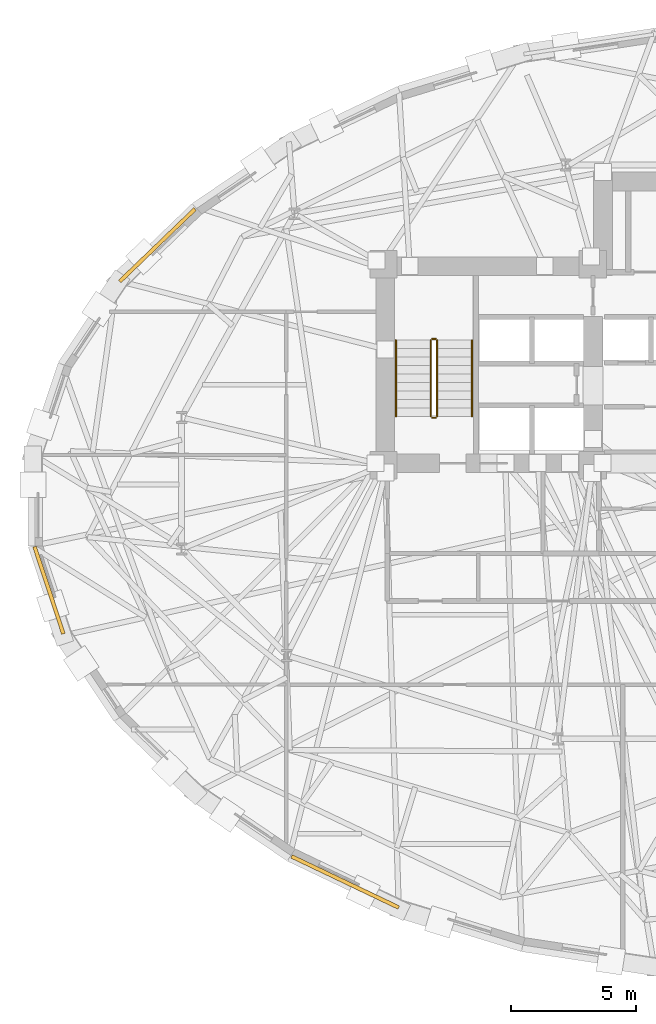
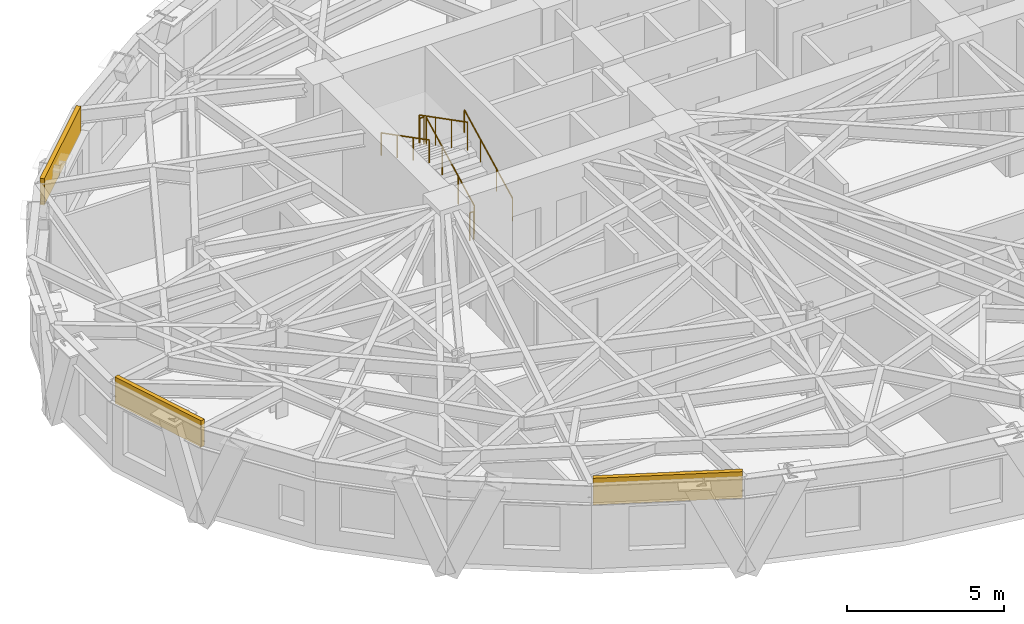
# One storey, part 11 of 14: 6 railings, 3 coverings.
"""IFC4 building model written with IfcOpenShell, lengths in metres."""

from ifc_helpers import new_model, si_unit, direction, frame, origin, origin_2d, place, context, subcontext, project, spatial, rectangle, circle, extrude, material, layer, layer_set, type_object, element, save


model = new_model("IFC4")

# Units and contexts
model_context = context("Model", 3, precision=1e-05, world=origin(), true_north=direction((0.0, 1.0)))
body_context = subcontext(model_context, "Body", "Model", "MODEL_VIEW")
ifc_project = project(units=[si_unit("LENGTHUNIT", "METRE"), si_unit("AREAUNIT", "SQUARE_METRE"), si_unit("VOLUMEUNIT", "CUBIC_METRE"), si_unit("PLANEANGLEUNIT", "RADIAN"), si_unit("MASSUNIT", "GRAM", prefix="KILO")], contexts=[model_context])

# Site, building, storey
site_placement = place(None, origin())
site = spatial("IfcSite", under=ifc_project, at=site_placement, CompositionType="ELEMENT")
building_placement = place(site_placement, origin())
building = spatial("IfcBuilding", under=site, at=building_placement, Name="Keldmark Tower", CompositionType="ELEMENT")
storey_placement = place(building_placement, frame((0.0, 0.0, 103.60009765625)))
storey = spatial("IfcBuildingStorey", under=building, at=storey_placement, Name="L27", CompositionType="ELEMENT", Elevation=103.60009765625)

# Coverings
ifc_material_1 = material(Name="Honed Kasota Buff Dolomitic Limestone", Category="masonry")
ifc_layer = layer(ifc_material_1, 0.074951171875)
ifc_layer_set = layer_set([ifc_layer], Name="Honed Kasota Buff Dolomitic Limestone")
covering_type = type_object("IfcCoveringType", Name="Kasota Buff Limestone Spandrel Cladding Band", PredefinedType="CLADDING", material=ifc_layer_set)
covering_1_placement = place(storey_placement, frame((-22.6650390625, 10.21630859375, 2.45166015625), z_axis=(0.0, 0.0, 1.0), x_axis=(-0.720587417127, -0.693364099357, 0.0)))
element("IfcCovering", 1, at=covering_1_placement, inside=storey, type_object=covering_type, Name="L27 Kasota Limestone Spandrel Band 13", PredefinedType="CLADDING", context=body_context, shape_type="SweptSolid", body=[
    extrude(rectangle(XDim=4.186767578125, YDim=0.14990234375, at=origin_2d()), origin(), (0.0, 0.0, 1.0), 1.028076171875),
])
covering_2_placement = place(storey_placement, frame((-27.0146484375, -3.617919921875, 2.45166015625), z_axis=(0.0, 0.0, 1.0), x_axis=(0.314290711278, -0.949326787152, 0.0)))
element("IfcCovering", 2, at=covering_2_placement, inside=storey, type_object=covering_type, Name="L27 Kasota Limestone Spandrel Band 17", PredefinedType="CLADDING", context=body_context, shape_type="SweptSolid", body=[
    extrude(rectangle(XDim=3.67578125, YDim=0.14990234375, at=origin_2d()), origin(), (0.0, 0.0, 1.0), 1.028076171875),
])
covering_3_placement = place(storey_placement, frame((-15.139892578125, -15.31689453125, 2.45166015625), z_axis=(0.0, 0.0, 1.0), x_axis=(0.902367267498, -0.430967881109, 0.0)))
element("IfcCovering", 3, at=covering_3_placement, inside=storey, type_object=covering_type, Name="L27 Kasota Limestone Spandrel Band 21", PredefinedType="CLADDING", context=body_context, shape_type="SweptSolid", body=[
    extrude(rectangle(XDim=4.76171875, YDim=0.14990234375, at=origin_2d()), origin(), (0.0, 0.0, 1.0), 1.028076171875),
])

# Railings
ifc_material_2 = material(Name="Painted Steel ASTM A500 Grade B", Category="steel")
railing_type_1 = type_object("IfcRailingType", Name="Painted Steel Stair Well Guard 1100 mm", PredefinedType="GUARDRAIL", material=ifc_material_2)
railing_1_placement = place(storey_placement, frame((-11.449951171875, 3.35009765625, 0.1748046875)))
element("IfcRailing", 4, at=railing_1_placement, inside=storey, type_object=railing_type_1, Name="L27 ST1 stair guard 1", PredefinedType="GUARDRAIL", context=body_context, shape_type="SweptSolid", body=[
    extrude(circle(Radius=0.02392578125, at=origin_2d()), frame((0.0, 0.0, 1.076171875), z_axis=(0.0, 0.889101422983, 0.457710235465), x_axis=(-1.0, 0.0, 0.0)), (0.0, 0.0, 1.0), 3.44140625),
    extrude(circle(Radius=0.02099609375, at=origin_2d()), origin(), (0.0, 0.0, 1.0), 1.052001953125),
    extrude(circle(Radius=0.02099609375, at=origin_2d()), frame((0.0, 1.02001953125, 0.525146484375)), (0.0, 0.0, 1.0), 1.052001953125),
    extrude(circle(Radius=0.02099609375, at=origin_2d()), frame((0.0, 2.039794921875, 1.050048828125)), (0.0, 0.0, 1.0), 1.052001953125),
    extrude(circle(Radius=0.02099609375, at=origin_2d()), frame((0.0, 3.059814453125, 1.5751953125)), (0.0, 0.0, 1.0), 1.052001953125),
])
railing_2_placement = place(storey_placement, frame((-11.5, 6.4599609375, 1.75)))
element("IfcRailing", 5, at=railing_2_placement, inside=storey, type_object=railing_type_1, Name="L27 ST1 stair guard 2", PredefinedType="GUARDRAIL", context=body_context, shape_type="SweptSolid", body=[
    extrude(circle(Radius=0.02392578125, at=origin_2d()), frame((0.0, 0.0, 1.076171875), z_axis=(-1.0, 0.0, 0.0), x_axis=(0.0, -1.0, 0.0)), (0.0, 0.0, 1.0), 0.14990234375),
    extrude(circle(Radius=0.02099609375, at=origin_2d()), origin(), (0.0, 0.0, 1.0), 1.052001953125),
    extrude(circle(Radius=0.02099609375, at=origin_2d()), frame((-0.14990234375, 0.0, 0.0)), (0.0, 0.0, 1.0), 1.052001953125),
])
railing_3_placement = place(storey_placement, frame((-11.699951171875, 6.409912109375, 1.9248046875)))
element("IfcRailing", 6, at=railing_3_placement, inside=storey, type_object=railing_type_1, Name="L27 ST1 stair guard 3", PredefinedType="GUARDRAIL", context=body_context, shape_type="SweptSolid", body=[
    extrude(circle(Radius=0.02392578125, at=origin_2d()), frame((0.0, 0.0, 1.076171875), z_axis=(0.0, -0.889101422983, 0.457710235465), x_axis=(1.0, 0.0, 0.0)), (0.0, 0.0, 1.0), 3.44140625),
    extrude(circle(Radius=0.02099609375, at=origin_2d()), origin(), (0.0, 0.0, 1.0), 1.052001953125),
    extrude(circle(Radius=0.02099609375, at=origin_2d()), frame((0.0, -1.02001953125, 0.525146484375)), (0.0, 0.0, 1.0), 1.052001953125),
    extrude(circle(Radius=0.02099609375, at=origin_2d()), frame((0.0, -2.039794921875, 1.050048828125)), (0.0, 0.0, 1.0), 1.052001953125),
    extrude(circle(Radius=0.02099609375, at=origin_2d()), frame((0.0, -3.059814453125, 1.5751953125)), (0.0, 0.0, 1.0), 1.052001953125),
])
railing_4_placement = place(storey_placement, frame((-11.5, 3.300048828125, 0.0)))
element("IfcRailing", 7, at=railing_4_placement, inside=storey, type_object=railing_type_1, Name="L27 ST1 stair guard 4", PredefinedType="GUARDRAIL", context=body_context, shape_type="SweptSolid", body=[
    extrude(circle(Radius=0.02392578125, at=origin_2d()), frame((0.0, 0.0, 1.076171875), z_axis=(-1.0, 0.0, 0.0), x_axis=(0.0, -1.0, 0.0)), (0.0, 0.0, 1.0), 0.14990234375),
    extrude(circle(Radius=0.02099609375, at=origin_2d()), origin(), (0.0, 0.0, 1.0), 1.052001953125),
    extrude(circle(Radius=0.02099609375, at=origin_2d()), frame((-0.14990234375, 0.0, 0.0)), (0.0, 0.0, 1.0), 1.052001953125),
])
ifc_material_3 = material(Name="Stainless Steel AISI 316L", Category="steel")
railing_type_2 = type_object("IfcRailingType", Name="Stainless Steel Stair Handrail 900 mm", PredefinedType="HANDRAIL", material=ifc_material_3)
railing_5_placement = place(storey_placement, frame((-10.050048828125, 3.35009765625, 0.1748046875)))
element("IfcRailing", 8, at=railing_5_placement, inside=storey, type_object=railing_type_2, Name="L27 ST1 stair handrail 1", PredefinedType="HANDRAIL", context=body_context, shape_type="SweptSolid", body=[
    extrude(circle(Radius=0.02392578125, at=origin_2d()), frame((0.0, 0.0, 0.8759765625), z_axis=(0.0, 0.889101422983, 0.457710235465), x_axis=(-1.0, 0.0, 0.0)), (0.0, 0.0, 1.0), 3.44140625),
    extrude(circle(Radius=0.02099609375, at=origin_2d()), origin(), (0.0, 0.0, 1.0), 0.851806640625),
    extrude(circle(Radius=0.02099609375, at=origin_2d()), frame((0.0, 1.02001953125, 0.525146484375)), (0.0, 0.0, 1.0), 0.851806640625),
    extrude(circle(Radius=0.02099609375, at=origin_2d()), frame((0.0, 2.039794921875, 1.050048828125)), (0.0, 0.0, 1.0), 0.851806640625),
    extrude(circle(Radius=0.02099609375, at=origin_2d()), frame((0.0, 3.059814453125, 1.5751953125)), (0.0, 0.0, 1.0), 0.851806640625),
])
railing_6_placement = place(storey_placement, frame((-13.10009765625, 6.409912109375, 1.9248046875)))
element("IfcRailing", 9, at=railing_6_placement, inside=storey, type_object=railing_type_2, Name="L27 ST1 stair handrail 2", PredefinedType="HANDRAIL", context=body_context, shape_type="SweptSolid", body=[
    extrude(circle(Radius=0.02392578125, at=origin_2d()), frame((0.0, 0.0, 0.8759765625), z_axis=(0.0, -0.889101422983, 0.457710235465), x_axis=(1.0, 0.0, 0.0)), (0.0, 0.0, 1.0), 3.44140625),
    extrude(circle(Radius=0.02099609375, at=origin_2d()), origin(), (0.0, 0.0, 1.0), 0.851806640625),
    extrude(circle(Radius=0.02099609375, at=origin_2d()), frame((0.0, -1.02001953125, 0.525146484375)), (0.0, 0.0, 1.0), 0.851806640625),
    extrude(circle(Radius=0.02099609375, at=origin_2d()), frame((0.0, -2.039794921875, 1.050048828125)), (0.0, 0.0, 1.0), 0.851806640625),
    extrude(circle(Radius=0.02099609375, at=origin_2d()), frame((0.0, -3.059814453125, 1.5751953125)), (0.0, 0.0, 1.0), 0.851806640625),
])

save(model, "model.ifc")
